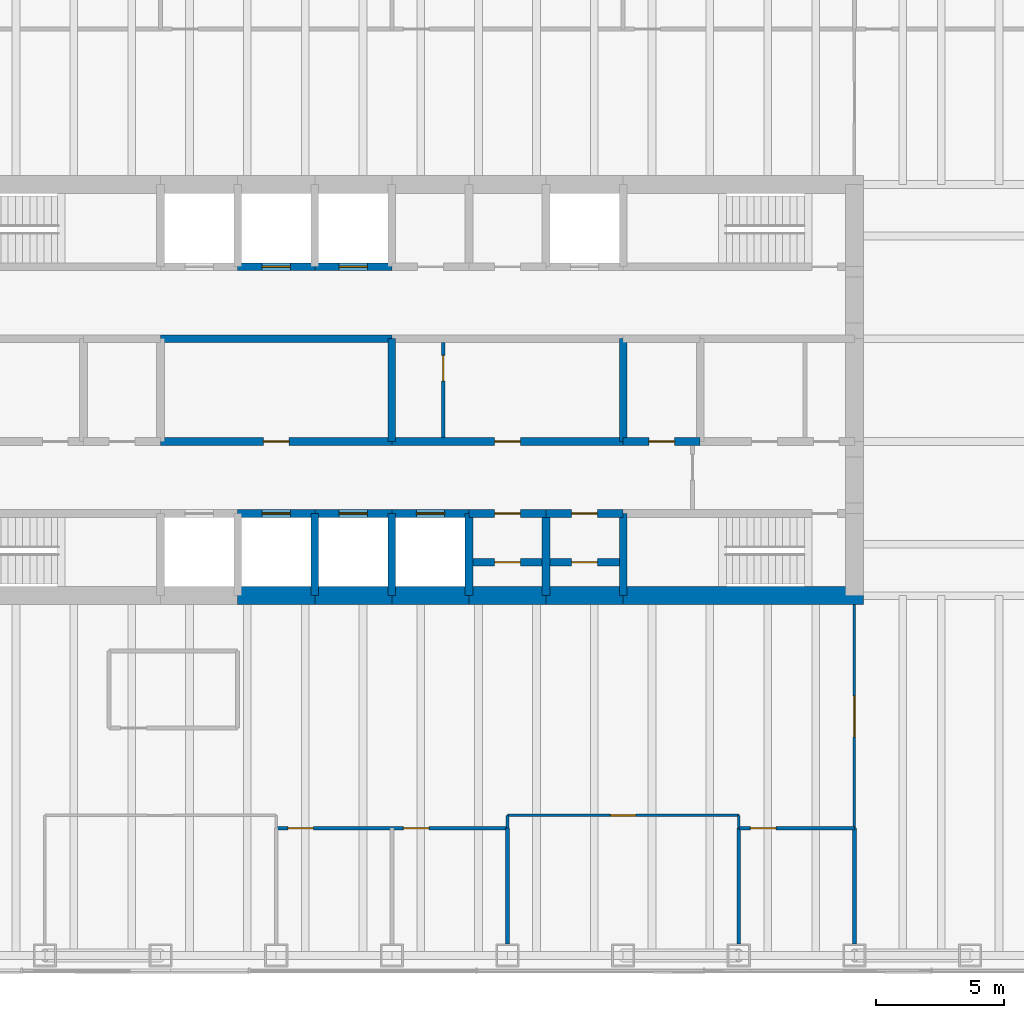
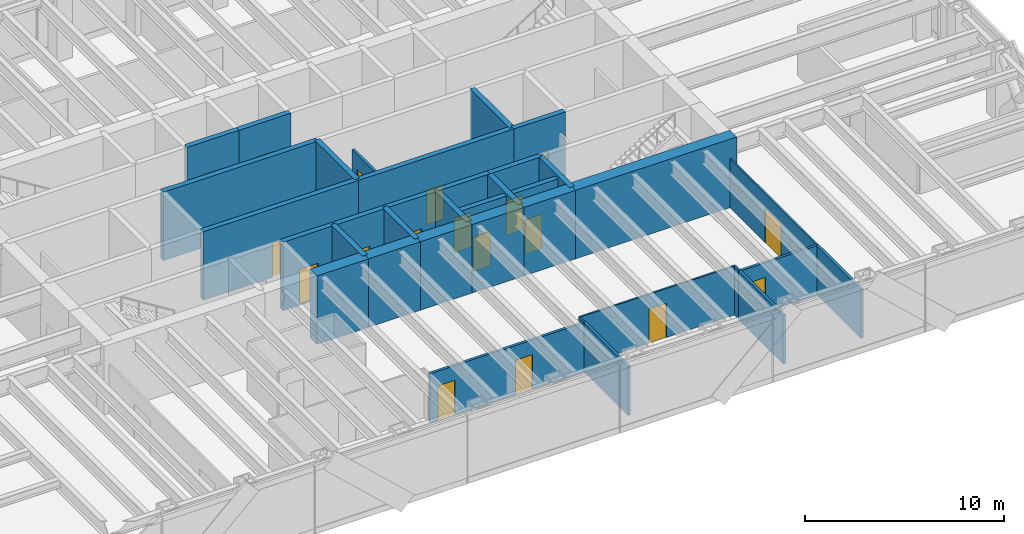
# One storey, part 14 of 17: 36 walls, 18 doors, 18 openings.
"""IFC4 building model written with IfcOpenShell, lengths in metres."""

from ifc_helpers import new_model, si_unit, direction, frame, frame_2d, origin, place, context, subcontext, project, spatial, rectangle, extrude, material, layer, layer_set, type_object, element, fill, save


model = new_model("IFC4")

# Units and contexts
model_context = context("Model", 3, precision=1e-05, world=origin(), true_north=direction((0.0, 1.0)))
body_context = subcontext(model_context, "Body", "Model", "MODEL_VIEW")
ifc_project = project(units=[si_unit("LENGTHUNIT", "METRE"), si_unit("AREAUNIT", "SQUARE_METRE"), si_unit("VOLUMEUNIT", "CUBIC_METRE"), si_unit("PLANEANGLEUNIT", "RADIAN"), si_unit("MASSUNIT", "GRAM", prefix="KILO")], contexts=[model_context])

# Site, building, storey
site_placement = place(None, origin())
site = spatial("IfcSite", under=ifc_project, at=site_placement, CompositionType="ELEMENT")
building_placement = place(site_placement, origin())
building = spatial("IfcBuilding", under=site, at=building_placement, Name="Rheinbord Bourse Tower", CompositionType="ELEMENT")
storey_placement = place(building_placement, frame((0.0, 0.0, 283.699951171875)))
storey = spatial("IfcBuildingStorey", under=building, at=storey_placement, Name="L64", CompositionType="ELEMENT", Elevation=283.699951171875)

# Wall, opening, door
ifc_material_1 = material(Name="Concrete C50/60", Category="concrete")
ifc_layer_1 = layer(ifc_material_1, 0.300048828125)
ifc_layer_set_1 = layer_set([ifc_layer_1], Name="CORE INNER WALL 300")
wall_type_1 = type_object("IfcWallType", Name="CORE INNER WALL 300", PredefinedType="SOLIDWALL", material=ifc_layer_set_1)
wall_1_placement = place(storey_placement, frame((30.0, 19.199951171875, 0.0), z_axis=(0.0, 0.0, 1.0), x_axis=(1.0, 0.0, 0.0)))
wall_1 = element("IfcWall", 1, at=wall_1_placement, inside=storey, type_object=wall_type_1, Name="Core wall A3 L64", PredefinedType="SOLIDWALL", context=body_context, shape_type="SweptSolid", body=[
    extrude(rectangle(XDim=3.0, YDim=0.300048828125, at=frame_2d((1.5, 0.0))), origin(), (0.0, 0.0, 1.0), 4.199951171875),
])
opening_1_placement = place(wall_1_placement, frame((0.949951171875, 0.0, 0.0)))
opening_1 = element("IfcOpeningElement", 2, at=opening_1_placement, cuts=wall_1, Name="Opening PD1", PredefinedType="OPENING", context=body_context, shape_type="SweptSolid", body=[
    extrude(rectangle(XDim=1.10009765625, YDim=2.199951171875, at=frame_2d((0.550048828125, 1.10009765625))), frame((0.0, 0.159912109375, 0.0), z_axis=(0.0, -1.0, 0.0), x_axis=(1.0, 0.0, 0.0)), (0.0, 0.0, 1.0), 0.320068359375),
])
ifc_material_2 = material(Name="Steel landing door", Category="steel")
door_type_1 = type_object("IfcDoorType", Name="LIFT LANDING DOOR 1100", OperationType="DOUBLE_DOOR_SLIDING", PredefinedType="USERDEFINED", material=ifc_material_2)
door_1_placement = place(opening_1_placement, origin())
door_1 = element("IfcDoor", 3, at=door_1_placement, inside=storey, type_object=door_type_1, Name="Lift landing door PD1 L64", ObjectType="LIFT LANDING DOOR", OperationType="DOUBLE_DOOR_SLIDING", OverallHeight=2.199951171875, OverallWidth=1.10009765625, PredefinedType="USERDEFINED", context=body_context, shape_type="SweptSolid", body=[
    extrude(rectangle(XDim=1.10009765625, YDim=2.199951171875, at=frame_2d((0.550048828125, 1.10009765625))), frame((0.0, 0.02490234375, 0.0), z_axis=(0.0, -1.0, 0.0), x_axis=(1.0, 0.0, 0.0)), (0.0, 0.0, 1.0), 0.050048828125),
])
fill(opening_1, door_1)

wall_2_placement = place(storey_placement, frame((33.0, 19.199951171875, 0.0), z_axis=(0.0, 0.0, 1.0), x_axis=(1.0, 0.0, 0.0)))
wall_2 = element("IfcWall", 4, at=wall_2_placement, inside=storey, type_object=wall_type_1, Name="Core wall A4 L64", PredefinedType="SOLIDWALL", context=body_context, shape_type="SweptSolid", body=[
    extrude(rectangle(XDim=3.0, YDim=0.300048828125, at=frame_2d((1.5, 0.0))), origin(), (0.0, 0.0, 1.0), 4.199951171875),
])
opening_2_placement = place(wall_2_placement, frame((0.949951171875, 0.0, 0.0)))
opening_2 = element("IfcOpeningElement", 5, at=opening_2_placement, cuts=wall_2, Name="Opening PD2", PredefinedType="OPENING", context=body_context, shape_type="SweptSolid", body=[
    extrude(rectangle(XDim=1.10009765625, YDim=2.199951171875, at=frame_2d((0.550048828125, 1.10009765625))), frame((0.0, 0.159912109375, 0.0), z_axis=(0.0, -1.0, 0.0), x_axis=(1.0, 0.0, 0.0)), (0.0, 0.0, 1.0), 0.320068359375),
])
door_2_placement = place(opening_2_placement, origin())
door_2 = element("IfcDoor", 6, at=door_2_placement, inside=storey, type_object=door_type_1, Name="Lift landing door PD2 L64", ObjectType="LIFT LANDING DOOR", OperationType="DOUBLE_DOOR_SLIDING", OverallHeight=2.199951171875, OverallWidth=1.10009765625, PredefinedType="USERDEFINED", context=body_context, shape_type="SweptSolid", body=[
    extrude(rectangle(XDim=1.10009765625, YDim=2.199951171875, at=frame_2d((0.550048828125, 1.10009765625))), frame((0.0, 0.02490234375, 0.0), z_axis=(0.0, -1.0, 0.0), x_axis=(1.0, 0.0, 0.0)), (0.0, 0.0, 1.0), 0.050048828125),
])
fill(opening_2, door_2)

wall_3_placement = place(storey_placement, frame((36.0, 19.199951171875, 0.0), z_axis=(0.0, 0.0, 1.0), x_axis=(1.0, 0.0, 0.0)))
wall_3 = element("IfcWall", 7, at=wall_3_placement, inside=storey, type_object=wall_type_1, Name="Core wall A5 L64", PredefinedType="SOLIDWALL", context=body_context, shape_type="SweptSolid", body=[
    extrude(rectangle(XDim=3.0, YDim=0.300048828125, at=frame_2d((1.5, 0.0))), origin(), (0.0, 0.0, 1.0), 4.199951171875),
])
opening_3_placement = place(wall_3_placement, frame((0.949951171875, 0.0, 0.0)))
opening_3 = element("IfcOpeningElement", 8, at=opening_3_placement, cuts=wall_3, Name="Opening PD3", PredefinedType="OPENING", context=body_context, shape_type="SweptSolid", body=[
    extrude(rectangle(XDim=1.10009765625, YDim=2.199951171875, at=frame_2d((0.550048828125, 1.10009765625))), frame((0.0, 0.159912109375, 0.0), z_axis=(0.0, -1.0, 0.0), x_axis=(1.0, 0.0, 0.0)), (0.0, 0.0, 1.0), 0.320068359375),
])
door_3_placement = place(opening_3_placement, origin())
door_3 = element("IfcDoor", 9, at=door_3_placement, inside=storey, type_object=door_type_1, Name="Lift landing door PD3 L64", ObjectType="LIFT LANDING DOOR", OperationType="DOUBLE_DOOR_SLIDING", OverallHeight=2.199951171875, OverallWidth=1.10009765625, PredefinedType="USERDEFINED", context=body_context, shape_type="SweptSolid", body=[
    extrude(rectangle(XDim=1.10009765625, YDim=2.199951171875, at=frame_2d((0.550048828125, 1.10009765625))), frame((0.0, 0.02490234375, 0.0), z_axis=(0.0, -1.0, 0.0), x_axis=(1.0, 0.0, 0.0)), (0.0, 0.0, 1.0), 0.050048828125),
])
fill(opening_3, door_3)

wall_4_placement = place(storey_placement, frame((39.0, 19.199951171875, 0.0), z_axis=(0.0, 0.0, 1.0), x_axis=(1.0, 0.0, 0.0)))
wall_4 = element("IfcWall", 10, at=wall_4_placement, inside=storey, type_object=wall_type_1, Name="Core wall A6 L64", PredefinedType="SOLIDWALL", context=body_context, shape_type="SweptSolid", body=[
    extrude(rectangle(XDim=3.0, YDim=0.300048828125, at=frame_2d((1.5, 0.0))), origin(), (0.0, 0.0, 1.0), 4.199951171875),
])
opening_4_placement = place(wall_4_placement, frame((1.0, 0.0, 0.0)))
opening_4 = element("IfcOpeningElement", 11, at=opening_4_placement, cuts=wall_4, Name="Opening 64R8", PredefinedType="OPENING", context=body_context, shape_type="SweptSolid", body=[
    extrude(rectangle(XDim=1.0, YDim=2.10009765625, at=frame_2d((0.5, 1.050048828125))), frame((0.0, 0.159912109375, 0.0), z_axis=(0.0, -1.0, 0.0), x_axis=(1.0, 0.0, 0.0)), (0.0, 0.0, 1.0), 0.320068359375),
])
ifc_material_3 = material(Name="Steel door", Category="steel")
door_type_2 = type_object("IfcDoorType", Name="DOOR 1000 EI30", OperationType="SINGLE_SWING_LEFT", PredefinedType="DOOR", material=ifc_material_3)
door_4_placement = place(opening_4_placement, origin())
door_4 = element("IfcDoor", 12, at=door_4_placement, inside=storey, type_object=door_type_2, Name="Store door L64", OperationType="SINGLE_SWING_LEFT", OverallHeight=2.10009765625, OverallWidth=1.0, PredefinedType="DOOR", context=body_context, shape_type="SweptSolid", body=[
    extrude(rectangle(XDim=1.0, YDim=2.10009765625, at=frame_2d((0.5, 1.050048828125))), frame((0.0, 0.02490234375, 0.0), z_axis=(0.0, -1.0, 0.0), x_axis=(1.0, 0.0, 0.0)), (0.0, 0.0, 1.0), 0.050048828125),
])
fill(opening_4, door_4)

wall_5_placement = place(storey_placement, frame((42.0, 19.199951171875, 0.0), z_axis=(0.0, 0.0, 1.0), x_axis=(1.0, 0.0, 0.0)))
wall_5 = element("IfcWall", 13, at=wall_5_placement, inside=storey, type_object=wall_type_1, Name="Core wall A7 L64", PredefinedType="SOLIDWALL", context=body_context, shape_type="SweptSolid", body=[
    extrude(rectangle(XDim=3.0, YDim=0.300048828125, at=frame_2d((1.5, 0.0))), origin(), (0.0, 0.0, 1.0), 4.199951171875),
])
opening_5_placement = place(wall_5_placement, frame((1.0, 0.0, 0.0)))
opening_5 = element("IfcOpeningElement", 14, at=opening_5_placement, cuts=wall_5, Name="Opening 64R9", PredefinedType="OPENING", context=body_context, shape_type="SweptSolid", body=[
    extrude(rectangle(XDim=1.0, YDim=2.10009765625, at=frame_2d((0.5, 1.050048828125))), frame((0.0, 0.159912109375, 0.0), z_axis=(0.0, -1.0, 0.0), x_axis=(1.0, 0.0, 0.0)), (0.0, 0.0, 1.0), 0.320068359375),
])
door_5_placement = place(opening_5_placement, origin())
door_5 = element("IfcDoor", 15, at=door_5_placement, inside=storey, type_object=door_type_2, Name="Cleaner's store door L64", OperationType="SINGLE_SWING_LEFT", OverallHeight=2.10009765625, OverallWidth=1.0, PredefinedType="DOOR", context=body_context, shape_type="SweptSolid", body=[
    extrude(rectangle(XDim=1.0, YDim=2.10009765625, at=frame_2d((0.5, 1.050048828125))), frame((0.0, 0.02490234375, 0.0), z_axis=(0.0, -1.0, 0.0), x_axis=(1.0, 0.0, 0.0)), (0.0, 0.0, 1.0), 0.050048828125),
])
fill(opening_5, door_5)

wall_6_placement = place(storey_placement, frame((30.0, 28.800048828125, 0.0), z_axis=(0.0, 0.0, 1.0), x_axis=(1.0, 0.0, 0.0)))
wall_6 = element("IfcWall", 16, at=wall_6_placement, inside=storey, type_object=wall_type_1, Name="Core wall B3 L64", PredefinedType="SOLIDWALL", context=body_context, shape_type="SweptSolid", body=[
    extrude(rectangle(XDim=3.0, YDim=0.300048828125, at=frame_2d((1.5, 0.0))), origin(), (0.0, 0.0, 1.0), 4.199951171875),
])
opening_6_placement = place(wall_6_placement, frame((0.949951171875, 0.0, 0.0)))
opening_6 = element("IfcOpeningElement", 17, at=opening_6_placement, cuts=wall_6, Name="Opening PD4", PredefinedType="OPENING", context=body_context, shape_type="SweptSolid", body=[
    extrude(rectangle(XDim=1.10009765625, YDim=2.199951171875, at=frame_2d((0.550048828125, 1.10009765625))), frame((0.0, 0.159912109375, 0.0), z_axis=(0.0, -1.0, 0.0), x_axis=(1.0, 0.0, 0.0)), (0.0, 0.0, 1.0), 0.320068359375),
])
door_6_placement = place(opening_6_placement, origin())
door_6 = element("IfcDoor", 18, at=door_6_placement, inside=storey, type_object=door_type_1, Name="Lift landing door PD4 L64", ObjectType="LIFT LANDING DOOR", OperationType="DOUBLE_DOOR_SLIDING", OverallHeight=2.199951171875, OverallWidth=1.10009765625, PredefinedType="USERDEFINED", context=body_context, shape_type="SweptSolid", body=[
    extrude(rectangle(XDim=1.10009765625, YDim=2.199951171875, at=frame_2d((0.550048828125, 1.10009765625))), frame((0.0, 0.02490234375, 0.0), z_axis=(0.0, -1.0, 0.0), x_axis=(1.0, 0.0, 0.0)), (0.0, 0.0, 1.0), 0.050048828125),
])
fill(opening_6, door_6)

wall_7_placement = place(storey_placement, frame((33.0, 28.800048828125, 0.0), z_axis=(0.0, 0.0, 1.0), x_axis=(1.0, 0.0, 0.0)))
wall_7 = element("IfcWall", 19, at=wall_7_placement, inside=storey, type_object=wall_type_1, Name="Core wall B4 L64", PredefinedType="SOLIDWALL", context=body_context, shape_type="SweptSolid", body=[
    extrude(rectangle(XDim=3.0, YDim=0.300048828125, at=frame_2d((1.5, 0.0))), origin(), (0.0, 0.0, 1.0), 4.199951171875),
])
opening_7_placement = place(wall_7_placement, frame((0.949951171875, 0.0, 0.0)))
opening_7 = element("IfcOpeningElement", 20, at=opening_7_placement, cuts=wall_7, Name="Opening PD5", PredefinedType="OPENING", context=body_context, shape_type="SweptSolid", body=[
    extrude(rectangle(XDim=1.10009765625, YDim=2.199951171875, at=frame_2d((0.550048828125, 1.10009765625))), frame((0.0, 0.159912109375, 0.0), z_axis=(0.0, -1.0, 0.0), x_axis=(1.0, 0.0, 0.0)), (0.0, 0.0, 1.0), 0.320068359375),
])
door_7_placement = place(opening_7_placement, origin())
door_7 = element("IfcDoor", 21, at=door_7_placement, inside=storey, type_object=door_type_1, Name="Lift landing door PD5 L64", ObjectType="LIFT LANDING DOOR", OperationType="DOUBLE_DOOR_SLIDING", OverallHeight=2.199951171875, OverallWidth=1.10009765625, PredefinedType="USERDEFINED", context=body_context, shape_type="SweptSolid", body=[
    extrude(rectangle(XDim=1.10009765625, YDim=2.199951171875, at=frame_2d((0.550048828125, 1.10009765625))), frame((0.0, 0.02490234375, 0.0), z_axis=(0.0, -1.0, 0.0), x_axis=(1.0, 0.0, 0.0)), (0.0, 0.0, 1.0), 0.050048828125),
])
fill(opening_7, door_7)

wall_8_placement = place(storey_placement, frame((27.0, 22.0, 0.0), z_axis=(0.0, 0.0, 1.0), x_axis=(1.0, 0.0, 0.0)))
wall_8 = element("IfcWall", 22, at=wall_8_placement, inside=storey, type_object=wall_type_1, Name="Core wall C3 L64", PredefinedType="SOLIDWALL", context=body_context, shape_type="SweptSolid", body=[
    extrude(rectangle(XDim=9.0, YDim=0.300048828125, at=frame_2d((4.5, 0.0))), origin(), (0.0, 0.0, 1.0), 4.199951171875),
])
opening_8_placement = place(wall_8_placement, frame((4.0, 0.0, 0.0)))
opening_8 = element("IfcOpeningElement", 23, at=opening_8_placement, cuts=wall_8, Name="Opening 64R3", PredefinedType="OPENING", context=body_context, shape_type="SweptSolid", body=[
    extrude(rectangle(XDim=1.0, YDim=2.10009765625, at=frame_2d((0.5, 1.050048828125))), frame((0.0, 0.159912109375, 0.0), z_axis=(0.0, -1.0, 0.0), x_axis=(1.0, 0.0, 0.0)), (0.0, 0.0, 1.0), 0.320068359375),
])
door_8_placement = place(opening_8_placement, origin())
door_8 = element("IfcDoor", 24, at=door_8_placement, inside=storey, type_object=door_type_2, Name="Riser door L64", OperationType="SINGLE_SWING_LEFT", OverallHeight=2.10009765625, OverallWidth=1.0, PredefinedType="DOOR", context=body_context, shape_type="SweptSolid", body=[
    extrude(rectangle(XDim=1.0, YDim=2.10009765625, at=frame_2d((0.5, 1.050048828125))), frame((0.0, 0.02490234375, 0.0), z_axis=(0.0, -1.0, 0.0), x_axis=(1.0, 0.0, 0.0)), (0.0, 0.0, 1.0), 0.050048828125),
])
fill(opening_8, door_8)

wall_9_placement = place(storey_placement, frame((36.0, 22.0, 0.0), z_axis=(0.0, 0.0, 1.0), x_axis=(1.0, 0.0, 0.0)))
wall_9 = element("IfcWall", 25, at=wall_9_placement, inside=storey, type_object=wall_type_1, Name="Core wall C4 L64", PredefinedType="SOLIDWALL", context=body_context, shape_type="SweptSolid", body=[
    extrude(rectangle(XDim=9.0, YDim=0.300048828125, at=frame_2d((4.5, 0.0))), origin(), (0.0, 0.0, 1.0), 4.199951171875),
])
opening_9_placement = place(wall_9_placement, frame((4.0, 0.0, 0.0)))
opening_9 = element("IfcOpeningElement", 26, at=opening_9_placement, cuts=wall_9, Name="Opening 64R4", PredefinedType="OPENING", context=body_context, shape_type="SweptSolid", body=[
    extrude(rectangle(XDim=1.0, YDim=2.10009765625, at=frame_2d((0.5, 1.050048828125))), frame((0.0, 0.159912109375, 0.0), z_axis=(0.0, -1.0, 0.0), x_axis=(1.0, 0.0, 0.0)), (0.0, 0.0, 1.0), 0.320068359375),
])
door_9_placement = place(opening_9_placement, origin())
door_9 = element("IfcDoor", 27, at=door_9_placement, inside=storey, type_object=door_type_2, Name="Staff locker room door L64", OperationType="SINGLE_SWING_LEFT", OverallHeight=2.10009765625, OverallWidth=1.0, PredefinedType="DOOR", context=body_context, shape_type="SweptSolid", body=[
    extrude(rectangle(XDim=1.0, YDim=2.10009765625, at=frame_2d((0.5, 1.050048828125))), frame((0.0, 0.02490234375, 0.0), z_axis=(0.0, -1.0, 0.0), x_axis=(1.0, 0.0, 0.0)), (0.0, 0.0, 1.0), 0.050048828125),
])
fill(opening_9, door_9)

wall_10_placement = place(storey_placement, frame((45.0, 22.0, 0.0), z_axis=(0.0, 0.0, 1.0), x_axis=(1.0, 0.0, 0.0)))
wall_10 = element("IfcWall", 28, at=wall_10_placement, inside=storey, type_object=wall_type_1, Name="Core wall C5 L64", PredefinedType="SOLIDWALL", context=body_context, shape_type="SweptSolid", body=[
    extrude(rectangle(XDim=3.0, YDim=0.300048828125, at=frame_2d((1.5, 0.0))), origin(), (0.0, 0.0, 1.0), 4.199951171875),
])
opening_10_placement = place(wall_10_placement, frame((1.0, 0.0, 0.0)))
opening_10 = element("IfcOpeningElement", 29, at=opening_10_placement, cuts=wall_10, Name="Opening 64R5", PredefinedType="OPENING", context=body_context, shape_type="SweptSolid", body=[
    extrude(rectangle(XDim=1.0, YDim=2.10009765625, at=frame_2d((0.5, 1.050048828125))), frame((0.0, 0.159912109375, 0.0), z_axis=(0.0, -1.0, 0.0), x_axis=(1.0, 0.0, 0.0)), (0.0, 0.0, 1.0), 0.320068359375),
])
ifc_material_4 = material(Name="Timber door", Category="wood")
door_type_3 = type_object("IfcDoorType", Name="DOOR 1000 WC", OperationType="SINGLE_SWING_LEFT", PredefinedType="DOOR", material=ifc_material_4)
door_10_placement = place(opening_10_placement, origin())
door_10 = element("IfcDoor", 30, at=door_10_placement, inside=storey, type_object=door_type_3, Name="Accessible WC door L64", OperationType="SINGLE_SWING_LEFT", OverallHeight=2.10009765625, OverallWidth=1.0, PredefinedType="DOOR", context=body_context, shape_type="SweptSolid", body=[
    extrude(rectangle(XDim=1.0, YDim=2.10009765625, at=frame_2d((0.5, 1.050048828125))), frame((0.0, 0.02490234375, 0.0), z_axis=(0.0, -1.0, 0.0), x_axis=(1.0, 0.0, 0.0)), (0.0, 0.0, 1.0), 0.050048828125),
])
fill(opening_10, door_10)

# Walls
wall_11_placement = place(storey_placement, frame((27.0, 26.0, 0.0), z_axis=(0.0, 0.0, 1.0), x_axis=(1.0, 0.0, 0.0)))
element("IfcWall", 31, at=wall_11_placement, inside=storey, type_object=wall_type_1, Name="Core wall D3 L64", PredefinedType="SOLIDWALL", context=body_context, shape_type="SweptSolid", body=[
    extrude(rectangle(XDim=9.0, YDim=0.300048828125, at=frame_2d((4.5, 0.0))), origin(), (0.0, 0.0, 1.0), 4.199951171875),
])
for number, where, z_axis, x_axis, name in (
    (32, (33.0, 16.0, 0.0), (0.0, 0.0, 1.0), (0.0, 1.0, 0.0), "Core wall SX33 L64"),
    (33, (36.0, 16.0, 0.0), (0.0, 0.0, 1.0), (0.0, 1.0, 0.0), "Core wall SX36 L64"),
    (34, (39.0, 16.0, 0.0), (0.0, 0.0, 1.0), (0.0, 1.0, 0.0), "Core wall SX39 L64"),
    (35, (42.0, 16.0, 0.0), (0.0, 0.0, 1.0), (0.0, 1.0, 0.0), "Core wall SX42 L64"),
    (36, (45.0, 16.0, 0.0), (0.0, 0.0, 1.0), (0.0, 1.0, 0.0), "Core wall SX45 L64"),
):
    element("IfcWall", number, at=place(storey_placement, frame(where, z_axis=z_axis, x_axis=x_axis)), inside=storey, type_object=wall_type_1, Name=name, PredefinedType="SOLIDWALL", context=body_context, shape_type="SweptSolid", body=[
        extrude(rectangle(XDim=3.199951171875, YDim=0.300048828125, at=frame_2d((1.60009765625, 0.0))), origin(), (0.0, 0.0, 1.0), 4.199951171875),
    ])
for number, where, z_axis, x_axis, name in (
    (37, (36.0, 22.0, 0.0), (0.0, 0.0, 1.0), (0.0, 1.0, 0.0), "Core wall MX36 L64"),
    (38, (45.0, 22.0, 0.0), (0.0, 0.0, 1.0), (0.0, 1.0, 0.0), "Core wall MX45 L64"),
):
    element("IfcWall", number, at=place(storey_placement, frame(where, z_axis=z_axis, x_axis=x_axis)), inside=storey, type_object=wall_type_1, Name=name, PredefinedType="SOLIDWALL", context=body_context, shape_type="SweptSolid", body=[
        extrude(rectangle(XDim=4.0, YDim=0.300048828125, at=frame_2d((2.0, 0.0))), origin(), (0.0, 0.0, 1.0), 4.199951171875),
    ])

# Wall, opening, door
wall_12_placement = place(storey_placement, frame((39.14990234375, 17.300048828125, 0.0), z_axis=(0.0, 0.0, 1.0), x_axis=(1.0, 0.0, 0.0)))
wall_12 = element("IfcWall", 39, at=wall_12_placement, inside=storey, type_object=wall_type_1, Name="Core riser wall L64-6", PredefinedType="SOLIDWALL", context=body_context, shape_type="SweptSolid", body=[
    extrude(rectangle(XDim=2.7001953125, YDim=0.300048828125, at=frame_2d((1.35009765625, 0.0))), origin(), (0.0, 0.0, 1.0), 4.0400390625),
])
opening_11_placement = place(wall_12_placement, frame((0.85009765625, 0.0, 0.0)))
opening_11 = element("IfcOpeningElement", 40, at=opening_11_placement, cuts=wall_12, Name="Opening 64R12", PredefinedType="OPENING", context=body_context, shape_type="SweptSolid", body=[
    extrude(rectangle(XDim=1.0, YDim=2.10009765625, at=frame_2d((0.5, 1.050048828125))), frame((0.0, 0.159912109375, 0.0), z_axis=(0.0, -1.0, 0.0), x_axis=(1.0, 0.0, 0.0)), (0.0, 0.0, 1.0), 0.320068359375),
])
door_11_placement = place(opening_11_placement, origin())
door_11 = element("IfcDoor", 41, at=door_11_placement, inside=storey, type_object=door_type_2, Name="Comms riser door L64", OperationType="SINGLE_SWING_LEFT", OverallHeight=2.10009765625, OverallWidth=1.0, PredefinedType="DOOR", context=body_context, shape_type="SweptSolid", body=[
    extrude(rectangle(XDim=1.0, YDim=2.10009765625, at=frame_2d((0.5, 1.050048828125))), frame((0.0, 0.02490234375, 0.0), z_axis=(0.0, -1.0, 0.0), x_axis=(1.0, 0.0, 0.0)), (0.0, 0.0, 1.0), 0.050048828125),
])
fill(opening_11, door_11)

wall_13_placement = place(storey_placement, frame((42.14990234375, 17.300048828125, 0.0), z_axis=(0.0, 0.0, 1.0), x_axis=(1.0, 0.0, 0.0)))
wall_13 = element("IfcWall", 42, at=wall_13_placement, inside=storey, type_object=wall_type_1, Name="Core riser wall L64-7", PredefinedType="SOLIDWALL", context=body_context, shape_type="SweptSolid", body=[
    extrude(rectangle(XDim=2.7001953125, YDim=0.300048828125, at=frame_2d((1.35009765625, 0.0))), origin(), (0.0, 0.0, 1.0), 4.0400390625),
])
opening_12_placement = place(wall_13_placement, frame((0.85009765625, 0.0, 0.0)))
opening_12 = element("IfcOpeningElement", 43, at=opening_12_placement, cuts=wall_13, Name="Opening 64R13", PredefinedType="OPENING", context=body_context, shape_type="SweptSolid", body=[
    extrude(rectangle(XDim=1.0, YDim=2.10009765625, at=frame_2d((0.5, 1.050048828125))), frame((0.0, 0.159912109375, 0.0), z_axis=(0.0, -1.0, 0.0), x_axis=(1.0, 0.0, 0.0)), (0.0, 0.0, 1.0), 0.320068359375),
])
door_12_placement = place(opening_12_placement, origin())
door_12 = element("IfcDoor", 44, at=door_12_placement, inside=storey, type_object=door_type_2, Name="Electrical riser door L64", OperationType="SINGLE_SWING_LEFT", OverallHeight=2.10009765625, OverallWidth=1.0, PredefinedType="DOOR", context=body_context, shape_type="SweptSolid", body=[
    extrude(rectangle(XDim=1.0, YDim=2.10009765625, at=frame_2d((0.5, 1.050048828125))), frame((0.0, 0.02490234375, 0.0), z_axis=(0.0, -1.0, 0.0), x_axis=(1.0, 0.0, 0.0)), (0.0, 0.0, 1.0), 0.050048828125),
])
fill(opening_12, door_12)

ifc_material_5 = material(Name="Gypsum board fire partition", Category="gypsum board")
ifc_layer_2 = layer(ifc_material_5, 0.14990234375)
ifc_layer_set_2 = layer_set([ifc_layer_2], Name="CORE PARTITION 150 EI30")
wall_type_2 = type_object("IfcWallType", Name="CORE PARTITION 150 EI30", PredefinedType="PARTITIONING", material=ifc_layer_set_2)
wall_14_placement = place(storey_placement, frame((38.0, 22.14990234375, 0.0), z_axis=(0.0, 0.0, 1.0), x_axis=(0.0, 1.0, 0.0)))
wall_14 = element("IfcWall", 45, at=wall_14_placement, inside=storey, type_object=wall_type_2, Name="Core partition L64-1", PredefinedType="PARTITIONING", context=body_context, shape_type="SweptSolid", body=[
    extrude(rectangle(XDim=3.7001953125, YDim=0.14990234375, at=frame_2d((1.85009765625, 0.0))), origin(), (0.0, 0.0, 1.0), 3.0),
])
opening_13_placement = place(wall_14_placement, frame((2.199951171875, 0.0, 0.0)))
opening_13 = element("IfcOpeningElement", 46, at=opening_13_placement, cuts=wall_14, Name="Opening 64R7", PredefinedType="OPENING", context=body_context, shape_type="SweptSolid", body=[
    extrude(rectangle(XDim=1.0, YDim=2.10009765625, at=frame_2d((0.5, 1.050048828125))), frame((0.0, 0.0849609375, 0.0), z_axis=(0.0, -1.0, 0.0), x_axis=(1.0, 0.0, 0.0)), (0.0, 0.0, 1.0), 0.169921875),
])
door_13_placement = place(opening_13_placement, origin())
door_13 = element("IfcDoor", 47, at=door_13_placement, inside=storey, type_object=door_type_2, Name="Staff shower door L64", OperationType="SINGLE_SWING_RIGHT", OverallHeight=2.10009765625, OverallWidth=1.0, PredefinedType="DOOR", context=body_context, shape_type="SweptSolid", body=[
    extrude(rectangle(XDim=1.0, YDim=2.10009765625, at=frame_2d((0.5, 1.050048828125))), frame((0.0, 0.02490234375, 0.0), z_axis=(0.0, -1.0, 0.0), x_axis=(1.0, 0.0, 0.0)), (0.0, 0.0, 1.0), 0.050048828125),
])
fill(opening_13, door_13)

# Walls
ifc_material_6 = material(Name="Concrete C50/60", Category="concrete")
ifc_layer_3 = layer(ifc_material_6, 0.699951171875)
ifc_layer_set_3 = layer_set([ifc_layer_3], Name="CORE WALL 700")
wall_type_3 = type_object("IfcWallType", Name="CORE WALL 700", PredefinedType="SHEAR", material=ifc_layer_set_3)
for number, where, z_axis, x_axis, name in (
    (48, (30.0, 16.0, 0.0), (0.0, 0.0, 1.0), (1.0, 0.0, 0.0), "Core wall S3 L64"),
    (49, (33.0, 16.0, 0.0), (0.0, 0.0, 1.0), (1.0, 0.0, 0.0), "Core wall S4 L64"),
    (50, (36.0, 16.0, 0.0), (0.0, 0.0, 1.0), (1.0, 0.0, 0.0), "Core wall S5 L64"),
    (51, (39.0, 16.0, 0.0), (0.0, 0.0, 1.0), (1.0, 0.0, 0.0), "Core wall S6 L64"),
    (52, (42.0, 16.0, 0.0), (0.0, 0.0, 1.0), (1.0, 0.0, 0.0), "Core wall S7 L64"),
):
    element("IfcWall", number, at=place(storey_placement, frame(where, z_axis=z_axis, x_axis=x_axis)), inside=storey, type_object=wall_type_3, Name=name, PredefinedType="SHEAR", context=body_context, shape_type="SweptSolid", body=[
        extrude(rectangle(XDim=3.0, YDim=0.699951171875, at=frame_2d((1.5, 0.0))), origin(), (0.0, 0.0, 1.0), 4.199951171875),
    ])
wall_15_placement = place(storey_placement, frame((45.0, 16.0, 0.0), z_axis=(0.0, 0.0, 1.0), x_axis=(1.0, 0.0, 0.0)))
element("IfcWall", 53, at=wall_15_placement, inside=storey, type_object=wall_type_3, Name="Core wall S8 L64", PredefinedType="SHEAR", context=body_context, shape_type="SweptSolid", body=[
    extrude(rectangle(XDim=9.35009765625, YDim=0.699951171875, at=frame_2d((4.675048828125, 0.0))), origin(), (0.0, 0.0, 1.0), 4.199951171875),
])

# Wall, opening, door
ifc_material_7 = material(Name="Toughened laminated glass partition", Category="glass")
ifc_layer_4 = layer(ifc_material_7, 0.10009765625)
ifc_layer_set_4 = layer_set([ifc_layer_4], Name="GLAZED PARTITION 100")
wall_type_4 = type_object("IfcWallType", Name="GLAZED PARTITION 100", PredefinedType="PARTITIONING", material=ifc_layer_set_4)
wall_16_placement = place(storey_placement, frame((40.5, 7.449951171875, 0.0), z_axis=(0.0, 0.0, 1.0), x_axis=(1.0, 0.0, 0.0)))
wall_16 = element("IfcWall", 54, at=wall_16_placement, inside=storey, type_object=wall_type_4, Name="Partition L64-04", PredefinedType="PARTITIONING", context=body_context, shape_type="SweptSolid", body=[
    extrude(rectangle(XDim=9.0, YDim=0.10009765625, at=frame_2d((4.5, 0.0))), origin(), (0.0, 0.0, 1.0), 3.0),
])
opening_14_placement = place(wall_16_placement, frame((4.0, 0.0, 0.0)))
opening_14 = element("IfcOpeningElement", 55, at=opening_14_placement, cuts=wall_16, Name="Opening 64D05", PredefinedType="OPENING", context=body_context, shape_type="SweptSolid", body=[
    extrude(rectangle(XDim=1.0, YDim=2.10009765625, at=frame_2d((0.5, 1.050048828125))), frame((0.0, 0.06005859375, 0.0), z_axis=(0.0, -1.0, 0.0), x_axis=(1.0, 0.0, 0.0)), (0.0, 0.0, 1.0), 0.1201171875),
])
ifc_material_8 = material(Name="Timber door", Category="wood")
door_type_4 = type_object("IfcDoorType", Name="ROOM DOOR 1000", OperationType="SINGLE_SWING_LEFT", PredefinedType="DOOR", material=ifc_material_8)
door_14_placement = place(opening_14_placement, origin())
door_14 = element("IfcDoor", 56, at=door_14_placement, inside=storey, type_object=door_type_4, Name="Meeting room door L64", OperationType="SINGLE_SWING_LEFT", OverallHeight=2.10009765625, OverallWidth=1.0, PredefinedType="DOOR", context=body_context, shape_type="SweptSolid", body=[
    extrude(rectangle(XDim=1.0, YDim=2.10009765625, at=frame_2d((0.5, 1.050048828125))), frame((0.0, 0.02490234375, 0.0), z_axis=(0.0, -1.0, 0.0), x_axis=(1.0, 0.0, 0.0)), (0.0, 0.0, 1.0), 0.050048828125),
])
fill(opening_14, door_14)

# Walls
for number, where, z_axis, x_axis, name in (
    (57, (40.5, 6.949951171875, 0.0), (0.0, 0.0, 1.0), (0.0, 1.0, 0.0), "Partition L64-26"),
    (58, (49.5, 6.949951171875, 0.0), (0.0, 0.0, 1.0), (0.0, 1.0, 0.0), "Partition L64-29"),
):
    element("IfcWall", number, at=place(storey_placement, frame(where, z_axis=z_axis, x_axis=x_axis)), inside=storey, type_object=wall_type_4, Name=name, PredefinedType="PARTITIONING", context=body_context, shape_type="SweptSolid", body=[
        extrude(rectangle(XDim=0.5, YDim=0.10009765625, at=frame_2d((0.25, 0.0))), origin(), (0.0, 0.0, 1.0), 3.0),
    ])

# Wall, opening, door
wall_17_placement = place(storey_placement, frame((54.0, 6.949951171875, 0.0), z_axis=(0.0, 0.0, 1.0), x_axis=(0.0, 1.0, 0.0)))
wall_17 = element("IfcWall", 59, at=wall_17_placement, inside=storey, type_object=wall_type_4, Name="Partition L64-31", PredefinedType="PARTITIONING", context=body_context, shape_type="SweptSolid", body=[
    extrude(rectangle(XDim=8.699951171875, YDim=0.10009765625, at=frame_2d((4.35009765625, 0.0))), origin(), (0.0, 0.0, 1.0), 3.0),
])
opening_15_placement = place(wall_17_placement, frame((3.550048828125, 0.0, 0.0)))
opening_15 = element("IfcOpeningElement", 60, at=opening_15_placement, cuts=wall_17, Name="Opening 64D18", PredefinedType="OPENING", context=body_context, shape_type="SweptSolid", body=[
    extrude(rectangle(XDim=1.60009765625, YDim=2.10009765625, at=frame_2d((0.800048828125, 1.050048828125))), frame((0.0, 0.06005859375, 0.0), z_axis=(0.0, -1.0, 0.0), x_axis=(1.0, 0.0, 0.0)), (0.0, 0.0, 1.0), 0.1201171875),
])
ifc_material_9 = material(Name="Timber door", Category="wood")
door_type_5 = type_object("IfcDoorType", Name="DOUBLE ROOM DOOR 1600", OperationType="DOUBLE_DOOR_DOUBLE_SWING", PredefinedType="DOOR", material=ifc_material_9)
door_15_placement = place(opening_15_placement, origin())
door_15 = element("IfcDoor", 61, at=door_15_placement, inside=storey, type_object=door_type_5, Name="Open area door L64", OperationType="SINGLE_SWING_LEFT", OverallHeight=2.10009765625, OverallWidth=1.60009765625, PredefinedType="DOOR", context=body_context, shape_type="SweptSolid", body=[
    extrude(rectangle(XDim=1.60009765625, YDim=2.10009765625, at=frame_2d((0.800048828125, 1.050048828125))), frame((0.0, 0.02490234375, 0.0), z_axis=(0.0, -1.0, 0.0), x_axis=(1.0, 0.0, 0.0)), (0.0, 0.0, 1.0), 0.050048828125),
])
fill(opening_15, door_15)

# Wall, openings, doors
ifc_material_10 = material(Name="Gypsum board partition", Category="gypsum board")
ifc_layer_5 = layer(ifc_material_10, 0.14990234375)
ifc_layer_set_5 = layer_set([ifc_layer_5], Name="PARTITION 150")
wall_type_5 = type_object("IfcWallType", Name="PARTITION 150", PredefinedType="PARTITIONING", material=ifc_layer_set_5)
wall_18_placement = place(storey_placement, frame((31.5, 6.949951171875, 0.0), z_axis=(0.0, 0.0, 1.0), x_axis=(1.0, 0.0, 0.0)))
wall_18 = element("IfcWall", 62, at=wall_18_placement, inside=storey, type_object=wall_type_5, Name="Partition L64-01", PredefinedType="PARTITIONING", context=body_context, shape_type="SweptSolid", body=[
    extrude(rectangle(XDim=9.0, YDim=0.14990234375, at=frame_2d((4.5, 0.0))), origin(), (0.0, 0.0, 1.0), 3.0),
])
opening_16_placement = place(wall_18_placement, frame((0.449951171875, 0.0, 0.0)))
opening_16 = element("IfcOpeningElement", 63, at=opening_16_placement, cuts=wall_18, Name="Opening 64D01", PredefinedType="OPENING", context=body_context, shape_type="SweptSolid", body=[
    extrude(rectangle(XDim=1.0, YDim=2.10009765625, at=frame_2d((0.5, 1.050048828125))), frame((0.0, 0.0849609375, 0.0), z_axis=(0.0, -1.0, 0.0), x_axis=(1.0, 0.0, 0.0)), (0.0, 0.0, 1.0), 0.169921875),
])
opening_17_placement = place(wall_18_placement, frame((4.949951171875, 0.0, 0.0)))
opening_17 = element("IfcOpeningElement", 64, at=opening_17_placement, cuts=wall_18, Name="Opening 64D02", PredefinedType="OPENING", context=body_context, shape_type="SweptSolid", body=[
    extrude(rectangle(XDim=1.0, YDim=2.10009765625, at=frame_2d((0.5, 1.050048828125))), frame((0.0, 0.0849609375, 0.0), z_axis=(0.0, -1.0, 0.0), x_axis=(1.0, 0.0, 0.0)), (0.0, 0.0, 1.0), 0.169921875),
])
door_16_placement = place(opening_16_placement, origin())
door_16 = element("IfcDoor", 65, at=door_16_placement, inside=storey, type_object=door_type_4, Name="Office door L64", OperationType="SINGLE_SWING_LEFT", OverallHeight=2.10009765625, OverallWidth=1.0, PredefinedType="DOOR", context=body_context, shape_type="SweptSolid", body=[
    extrude(rectangle(XDim=1.0, YDim=2.10009765625, at=frame_2d((0.5, 1.050048828125))), frame((0.0, 0.02490234375, 0.0), z_axis=(0.0, -1.0, 0.0), x_axis=(1.0, 0.0, 0.0)), (0.0, 0.0, 1.0), 0.050048828125),
])
fill(opening_16, door_16)
door_17_placement = place(opening_17_placement, origin())
door_17 = element("IfcDoor", 66, at=door_17_placement, inside=storey, type_object=door_type_4, Name="Office door L64", OperationType="SINGLE_SWING_RIGHT", OverallHeight=2.10009765625, OverallWidth=1.0, PredefinedType="DOOR", context=body_context, shape_type="SweptSolid", body=[
    extrude(rectangle(XDim=1.0, YDim=2.10009765625, at=frame_2d((0.5, 1.050048828125))), frame((0.0, 0.02490234375, 0.0), z_axis=(0.0, -1.0, 0.0), x_axis=(1.0, 0.0, 0.0)), (0.0, 0.0, 1.0), 0.050048828125),
])
fill(opening_17, door_17)

# Wall, opening, door
wall_19_placement = place(storey_placement, frame((49.5, 6.949951171875, 0.0), z_axis=(0.0, 0.0, 1.0), x_axis=(1.0, 0.0, 0.0)))
wall_19 = element("IfcWall", 67, at=wall_19_placement, inside=storey, type_object=wall_type_5, Name="Partition L64-02", PredefinedType="PARTITIONING", context=body_context, shape_type="SweptSolid", body=[
    extrude(rectangle(XDim=4.5, YDim=0.14990234375, at=frame_2d((2.25, 0.0))), origin(), (0.0, 0.0, 1.0), 3.0),
])
opening_18_placement = place(wall_19_placement, frame((0.449951171875, 0.0, 0.0)))
opening_18 = element("IfcOpeningElement", 68, at=opening_18_placement, cuts=wall_19, Name="Opening 64D03", PredefinedType="OPENING", context=body_context, shape_type="SweptSolid", body=[
    extrude(rectangle(XDim=1.0, YDim=2.10009765625, at=frame_2d((0.5, 1.050048828125))), frame((0.0, 0.0849609375, 0.0), z_axis=(0.0, -1.0, 0.0), x_axis=(1.0, 0.0, 0.0)), (0.0, 0.0, 1.0), 0.169921875),
])
door_18_placement = place(opening_18_placement, origin())
door_18 = element("IfcDoor", 69, at=door_18_placement, inside=storey, type_object=door_type_4, Name="Pantry door L64", OperationType="SINGLE_SWING_LEFT", OverallHeight=2.10009765625, OverallWidth=1.0, PredefinedType="DOOR", context=body_context, shape_type="SweptSolid", body=[
    extrude(rectangle(XDim=1.0, YDim=2.10009765625, at=frame_2d((0.5, 1.050048828125))), frame((0.0, 0.02490234375, 0.0), z_axis=(0.0, -1.0, 0.0), x_axis=(1.0, 0.0, 0.0)), (0.0, 0.0, 1.0), 0.050048828125),
])
fill(opening_18, door_18)

# Walls
for number, where, z_axis, x_axis, name in (
    (70, (40.5, 2.449951171875, 0.0), (0.0, 0.0, 1.0), (0.0, 1.0, 0.0), "Partition L64-25"),
    (71, (49.5, 2.449951171875, 0.0), (0.0, 0.0, 1.0), (0.0, 1.0, 0.0), "Partition L64-28"),
    (72, (54.0, 2.449951171875, 0.0), (0.0, 0.0, 1.0), (0.0, 1.0, 0.0), "Partition L64-30"),
):
    element("IfcWall", number, at=place(storey_placement, frame(where, z_axis=z_axis, x_axis=x_axis)), inside=storey, type_object=wall_type_5, Name=name, PredefinedType="PARTITIONING", context=body_context, shape_type="SweptSolid", body=[
        extrude(rectangle(XDim=4.5, YDim=0.14990234375, at=frame_2d((2.25, 0.0))), origin(), (0.0, 0.0, 1.0), 3.0),
    ])

save(model, "model.ifc")
